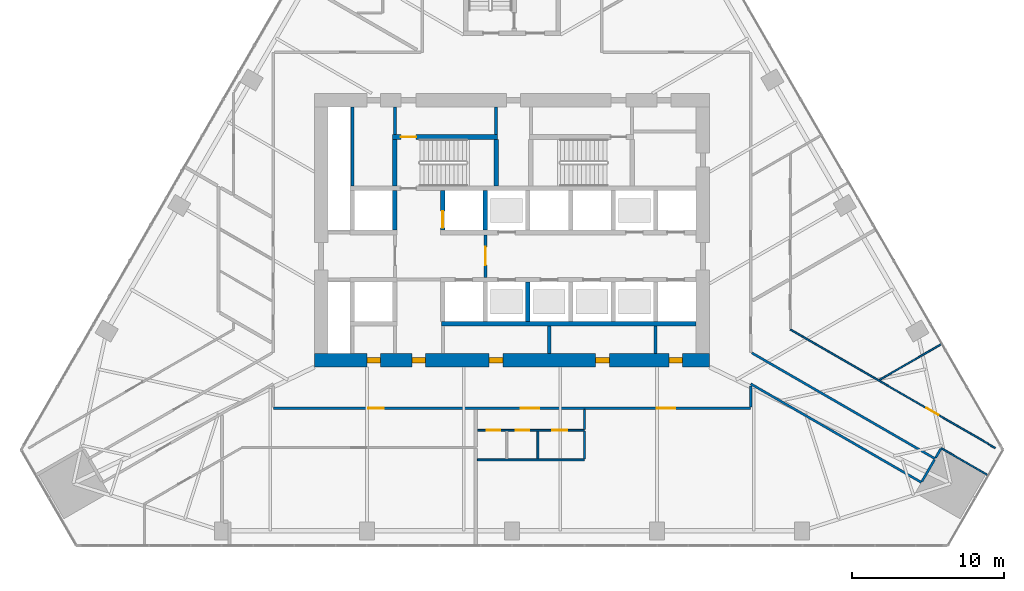
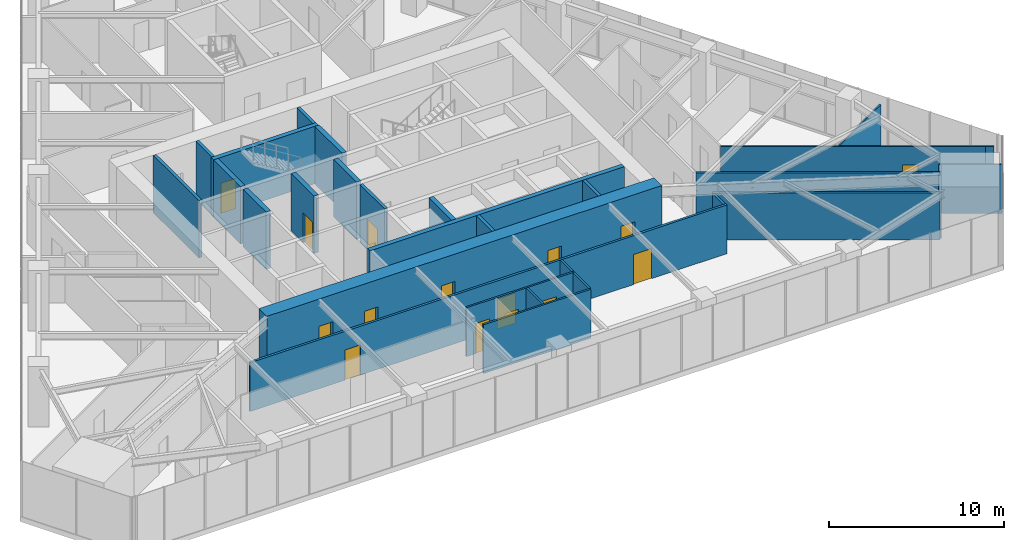
# One storey, part 21 of 26: 30 walls, 15 doors, 15 openings.
"""IFC4 building model written with IfcOpenShell, lengths in metres."""

import ifcopenshell
import ifcopenshell.guid

model = None  # the IFC model being written
_history = None  # IfcOwnerHistory: only IFC2X3 demands one
_inside = {}  # id of a spatial element -> (the spatial element, [elements in it])
_under = {}  # id of a project, library or spatial element -> (it, [spatial elements below it])
_declared = {}  # id of a project -> (the project, [libraries it declares])
_typed = {}  # id of a type object -> (the type object, [elements of that type])
_made_of = {}  # id of a material, layer set ... -> (it, [elements and type objects made of it])


def new_model(schema):
    """Start an empty IFC model of exactly this schema.

    Asked for "IFC4X3", IfcOpenShell would pick the latest addendum, in which some entities
    have other attributes; the version numbers below select the first issue.
    IFC2X3 requires an IfcOwnerHistory on every rooted entity: one is made here for all.
    """
    global model, _history
    if schema == "IFC4X3":
        model = ifcopenshell.file(schema_version=(4, 3, 0, 0))
    else:
        model = ifcopenshell.file(schema=schema)
    _inside.clear()
    _under.clear()
    _declared.clear()
    _typed.clear()
    _made_of.clear()
    _history = None
    if model.schema == "IFC2X3":
        org = make("IfcOrganization", Name="unknown")
        user = make(
            "IfcPersonAndOrganization",
            ThePerson=make("IfcPerson", FamilyName="unknown"),
            TheOrganization=org,
        )
        app = make(
            "IfcApplication",
            ApplicationDeveloper=org,
            Version="unknown",
            ApplicationFullName="unknown",
            ApplicationIdentifier="unknown",
        )
        _history = make(
            "IfcOwnerHistory",
            OwningUser=user,
            OwningApplication=app,
            ChangeAction="ADDED",
            CreationDate=0,
        )
    return model


def make(cls, **values):
    """One entity of the class cls with the attributes given. An attribute that is None is left unset."""
    return model.create_entity(
        cls, **{name: value for name, value in values.items() if value is not None}
    )


def rooted(cls, **values):
    """An entity with a GlobalId (a new one), such as an element, a storey or a relation."""
    return make(cls, GlobalId=ifcopenshell.guid.new(), OwnerHistory=_history, **values)


def si_unit(unit_type, name, prefix=None):
    """IfcSIUnit, for example si_unit("LENGTHUNIT", "METRE", prefix="MILLI")."""
    return make("IfcSIUnit", UnitType=unit_type, Prefix=prefix, Name=name)


def assignment(units):
    """IfcUnitAssignment: the units of a project."""
    return None if units is None else make("IfcUnitAssignment", Units=units)


def point(xyz):
    """IfcCartesianPoint."""
    return None if xyz is None else make("IfcCartesianPoint", Coordinates=xyz)


def direction(xyz):
    """IfcDirection."""
    return None if xyz is None else make("IfcDirection", DirectionRatios=xyz)


def frame(location, z_axis=None, x_axis=None):
    """IfcAxis2Placement3D, a coordinate frame: its origin and axes. An axis left out is left unset."""
    return make(
        "IfcAxis2Placement3D",
        Location=point(location),
        Axis=direction(z_axis),
        RefDirection=direction(x_axis),
    )


def frame_2d(location, x_axis=None):
    """IfcAxis2Placement2D, a coordinate frame in the plane: its origin and x axis."""
    return make(
        "IfcAxis2Placement2D", Location=point(location), RefDirection=direction(x_axis)
    )


def origin():
    """The frame at (0, 0, 0) with its axes left unset."""
    return frame((0.0, 0.0, 0.0))


def place(relative_to, where):
    """IfcLocalPlacement: puts the frame where relative to a parent placement (None: the world)."""
    return make(
        "IfcLocalPlacement", PlacementRelTo=relative_to, RelativePlacement=where
    )


def context(
    kind, dimensions, precision=None, world=None, true_north=None, identifier=None
):
    """IfcGeometricRepresentationContext, for example the 3D "Model" context."""
    return make(
        "IfcGeometricRepresentationContext",
        ContextIdentifier=identifier,
        ContextType=kind,
        CoordinateSpaceDimension=dimensions,
        Precision=precision,
        WorldCoordinateSystem=world,
        TrueNorth=true_north,
    )


def subcontext(parent, identifier, kind, view, scale=None):
    """IfcGeometricRepresentationSubContext, for example "Body" below "Model"."""
    return make(
        "IfcGeometricRepresentationSubContext",
        ContextIdentifier=identifier,
        ContextType=kind,
        ParentContext=parent,
        TargetScale=scale,
        TargetView=view,
    )


def project(units=None, contexts=None):
    """IfcProject with its units and contexts."""
    return rooted(
        "IfcProject",
        Name="project",
        RepresentationContexts=contexts,
        UnitsInContext=assignment(units),
    )


def spatial(cls, under=None, at=None, **own):
    """A site, building, storey or space (cls), placed at a placement, below another one or the project."""
    s = rooted(cls, ObjectPlacement=at, **own)
    if under is not None:
        _under.setdefault(under.id(), (under, []))[1].append(s)
    return s


def profile(cls, at=None, kind="AREA", **sizes):
    """A parametric profile (cls). Its sizes go by their IFC names, for example OverallWidth=200.0."""
    return make(cls, ProfileType=kind, Position=at, **sizes)


def rectangle(**sizes):
    """IfcRectangleProfileDef."""
    return profile("IfcRectangleProfileDef", **sizes)


def extrude(swept, where, along, depth):
    """IfcExtrudedAreaSolid: the profile swept, set in the frame where, extruded along a direction by depth."""
    return make(
        "IfcExtrudedAreaSolid",
        SweptArea=swept,
        Position=where,
        ExtrudedDirection=direction(along),
        Depth=depth,
    )


def shape(context_of_items, identifier, shape_type, items):
    """IfcShapeRepresentation: the items that make up one representation, for example the "Body"."""
    return make(
        "IfcShapeRepresentation",
        ContextOfItems=context_of_items,
        RepresentationIdentifier=identifier,
        RepresentationType=shape_type,
        Items=items,
    )


def material(Name=None, Category=None):
    """IfcMaterial."""
    return make("IfcMaterial", Name=Name, Category=Category)


def layer(
    of_material, thickness, ventilated=None, Name=None, Category=None, Priority=None
):
    """IfcMaterialLayer: one layer of a wall or slab, of a material (None: an air gap)."""
    return make(
        "IfcMaterialLayer",
        Material=of_material,
        LayerThickness=thickness,
        IsVentilated=ventilated,
        Name=Name,
        Category=Category,
        Priority=Priority,
    )


def layer_set(layers, Name=None):
    """IfcMaterialLayerSet."""
    return make("IfcMaterialLayerSet", MaterialLayers=layers, LayerSetName=Name)


def made_of(thing, what):
    """Note that an element or type object is made of a material, layer set ...; save() writes the relation."""
    if what is not None:
        _made_of.setdefault(what.id(), (what, []))[1].append(thing)
    return thing


def type_object(cls, material=None, **own):
    """A type object (cls), such as IfcWallType, which elements share."""
    return made_of(rooted(cls, **own), material)


def element(
    cls,
    number,
    at=None,
    inside=None,
    cuts=None,
    type_object=None,
    material=None,
    context=None,
    identifier="Body",
    shape_type=None,
    held_by="IfcProductDefinitionShape",
    body=None,
    shapes=None,
    **own,
):
    """One element of the class cls, such as IfcWall. Its Tag is "e" and its number.

    at: its placement. inside: the storey or other place that contains it. cuts: it is an
    opening in that element (IfcRelVoidsElement). A single representation is given by context,
    identifier, shape_type and body (its items); several are given by shapes. held_by: the class
    of the entity that holds the representations. save() writes the other relations.
    """
    e = rooted(cls, Tag="e%d" % number, ObjectPlacement=at, **own)
    if body is not None:
        shapes = [shape(context, identifier, shape_type, body)]
    if shapes is not None:
        e.Representation = make(held_by, Representations=shapes)
    if inside is not None:
        _inside.setdefault(inside.id(), (inside, []))[1].append(e)
    if cuts is not None:
        rooted(
            "IfcRelVoidsElement", RelatingBuildingElement=cuts, RelatedOpeningElement=e
        )
    if type_object is not None:
        _typed.setdefault(type_object.id(), (type_object, []))[1].append(e)
    return made_of(e, material)


def fill(opening, filler):
    """IfcRelFillsElement: the door or window that sits in an opening."""
    return rooted(
        "IfcRelFillsElement",
        RelatingOpeningElement=opening,
        RelatedBuildingElement=filler,
    )


def aggregate(whole, parts):
    """IfcRelAggregates: a whole, such as a stair, and the parts it consists of."""
    return rooted("IfcRelAggregates", RelatingObject=whole, RelatedObjects=parts)


def save(model, path):
    """Write the relations noted so far, then the file.

    IfcRelAggregates (storeys below a building ...), IfcRelContainedInSpatialStructure (elements
    in a storey), IfcRelDefinesByType, IfcRelAssociatesMaterial and IfcRelDeclares: one each for
    every whole, place, type object, material and project.
    """
    for whole, parts in _under.values():
        aggregate(whole, parts)
    for where, things in _inside.values():
        rooted(
            "IfcRelContainedInSpatialStructure",
            RelatedElements=things,
            RelatingStructure=where,
        )
    for kind, things in _typed.values():
        rooted("IfcRelDefinesByType", RelatedObjects=things, RelatingType=kind)
    for what, things in _made_of.values():
        rooted("IfcRelAssociatesMaterial", RelatedObjects=things, RelatingMaterial=what)
    for by, libraries in _declared.values():
        rooted("IfcRelDeclares", RelatingContext=by, RelatedDefinitions=libraries)
    model.write(path)


model = new_model("IFC4")

# Units and contexts
model_context = context("Model", 3, precision=1e-05, world=origin(), true_north=direction((0.0, 1.0)))
body_context = subcontext(model_context, "Body", "Model", "MODEL_VIEW")
ifc_project = project(units=[si_unit("LENGTHUNIT", "METRE"), si_unit("AREAUNIT", "SQUARE_METRE"), si_unit("VOLUMEUNIT", "CUBIC_METRE"), si_unit("PLANEANGLEUNIT", "RADIAN"), si_unit("MASSUNIT", "GRAM", prefix="KILO")], contexts=[model_context])

# Site, building, storey
site_placement = place(None, origin())
site = spatial("IfcSite", under=ifc_project, at=site_placement, CompositionType="ELEMENT")
building_placement = place(site_placement, origin())
building = spatial("IfcBuilding", under=site, at=building_placement, Name="Firuza Gate Tower and Library", CompositionType="ELEMENT")
storey_placement = place(building_placement, frame((0.0, 0.0, 65.199951171875)))
storey = spatial("IfcBuildingStorey", under=building, at=storey_placement, Name="L14", CompositionType="ELEMENT", Elevation=65.199951171875)

# Walls
ifc_material_1 = material(Name="Plasterboard on steel studs", Category="steel")
ifc_layer_1 = layer(ifc_material_1, 0.199951171875)
ifc_layer_set_1 = layer_set([ifc_layer_1], Name="Core partition 200 EI 120")
wall_type_1 = type_object("IfcWallType", Name="Core partition 200 EI 120", PredefinedType="PARTITIONING", material=ifc_layer_set_1)
wall_1_placement = place(storey_placement, frame((64.5, 77.89990234375, 0.0), z_axis=(0.0, 0.0, 1.0), x_axis=(0.0, 1.0, 0.0)))
element("IfcWall", 1, at=wall_1_placement, inside=storey, type_object=wall_type_1, Name="Core partition L14 6", PredefinedType="PARTITIONING", context=body_context, shape_type="SweptSolid", body=[
    extrude(rectangle(XDim=5.2001953125, YDim=0.199951171875, at=frame_2d((2.60009765625, 0.0))), origin(), (0.0, 0.0, 1.0), 4.0),
])
for number, where, z_axis, x_axis, name in (
    (2, (77.449951171875, 66.89990234375, 0.0), (0.0, 0.0, 1.0), (0.0, 1.0, 0.0), "Core partition L14 14"),
    (3, (84.449951171875, 66.89990234375, 0.0), (0.0, 0.0, 1.0), (0.0, 1.0, 0.0), "Core partition L14 16"),
):
    element("IfcWall", number, at=place(storey_placement, frame(where, z_axis=z_axis, x_axis=x_axis)), inside=storey, type_object=wall_type_1, Name=name, PredefinedType="PARTITIONING", context=body_context, shape_type="SweptSolid", body=[
        extrude(rectangle(XDim=1.800048828125, YDim=0.199951171875, at=frame_2d((0.89990234375, 0.0))), origin(), (0.0, 0.0, 1.0), 4.0),
    ])
ifc_material_2 = material(Name="Plasterboard on steel studs", Category="steel")
ifc_layer_2 = layer(ifc_material_2, 0.199951171875)
ifc_layer_set_2 = layer_set([ifc_layer_2], Name="Core partition 200 EI 60")
wall_type_2 = type_object("IfcWallType", Name="Core partition 200 EI 60", PredefinedType="PARTITIONING", material=ifc_layer_set_2)
wall_2_placement = place(storey_placement, frame((67.300048828125, 81.280029296875, 0.0), z_axis=(0.0, 0.0, 1.0), x_axis=(0.0, 1.0, 0.0)))
element("IfcWall", 4, at=wall_2_placement, inside=storey, type_object=wall_type_2, Name="Core partition L14 9", PredefinedType="PARTITIONING", context=body_context, shape_type="SweptSolid", body=[
    extrude(rectangle(XDim=1.820068359375, YDim=0.199951171875, at=frame_2d((0.91015625, 0.0))), origin(), (0.0, 0.0, 1.0), 4.0),
])

# Wall, opening, door
wall_3_placement = place(storey_placement, frame((73.25, 71.89990234375, 0.0), z_axis=(0.0, 0.0, 1.0), x_axis=(0.0, 1.0, 0.0)))
wall_3 = element("IfcWall", 5, at=wall_3_placement, inside=storey, type_object=wall_type_2, Name="Core partition L14 11", PredefinedType="PARTITIONING", context=body_context, shape_type="SweptSolid", body=[
    extrude(rectangle(XDim=2.800048828125, YDim=0.199951171875, at=frame_2d((1.39990234375, 0.0))), origin(), (0.0, 0.0, 1.0), 4.0),
])
opening_1_placement = place(wall_3_placement, frame((0.800048828125, 0.0, 0.0)))
opening_1 = element("IfcOpeningElement", 6, at=opening_1_placement, cuts=wall_3, Name="Opening L14-K20", PredefinedType="OPENING", context=body_context, shape_type="SweptSolid", body=[
    extrude(rectangle(XDim=1.199951171875, YDim=2.10009765625, at=frame_2d((0.60009765625, 1.050048828125))), frame((0.0, 0.10986328125, 0.0), z_axis=(0.0, -1.0, 0.0), x_axis=(1.0, 0.0, 0.0)), (0.0, 0.0, 1.0), 0.219970703125),
])
ifc_material_3 = material(Name="Steel", Category="steel")
door_type_1 = type_object("IfcDoorType", Name="Fire door 1200x2100 FD90S", OperationType="NOTDEFINED", PredefinedType="DOOR", material=ifc_material_3)
door_1_placement = place(opening_1_placement, origin())
door_1 = element("IfcDoor", 7, at=door_1_placement, inside=storey, type_object=door_type_1, Name="Door L14-K20", OperationType="SINGLE_SWING_LEFT", OverallHeight=2.10009765625, OverallWidth=1.199951171875, PredefinedType="DOOR", context=body_context, shape_type="SweptSolid", body=[
    extrude(rectangle(XDim=1.199951171875, YDim=2.10009765625, at=frame_2d((0.60009765625, 1.050048828125))), frame((0.0, 0.02490234375, 0.0), z_axis=(0.0, -1.0, 0.0), x_axis=(1.0, 0.0, 0.0)), (0.0, 0.0, 1.0), 0.050048828125),
])
fill(opening_1, door_1)

# Walls
wall_4_placement = place(storey_placement, frame((73.9599609375, 81.280029296875, 0.0), z_axis=(0.0, 0.0, 1.0), x_axis=(0.0, 1.0, 0.0)))
element("IfcWall", 8, at=wall_4_placement, inside=storey, type_object=wall_type_2, Name="Core partition L14 12", PredefinedType="PARTITIONING", context=body_context, shape_type="SweptSolid", body=[
    extrude(rectangle(XDim=1.820068359375, YDim=0.199951171875, at=frame_2d((0.91015625, 0.0))), origin(), (0.0, 0.0, 1.0), 4.0),
])
ifc_material_4 = material(Name="Concrete C80/95", Category="concrete")
ifc_layer_3 = layer(ifc_material_4, 0.300048828125)
ifc_layer_set_3 = layer_set([ifc_layer_3], Name="Core wall 300 C80/95")
wall_type_3 = type_object("IfcWallType", Name="Core wall 300 C80/95", PredefinedType="SHEAR", material=ifc_layer_set_3)
wall_5_placement = place(storey_placement, frame((70.35009765625, 68.85009765625, 0.0), z_axis=(0.0, 0.0, 1.0), x_axis=(1.0, 0.0, 0.0)))
element("IfcWall", 9, at=wall_5_placement, inside=storey, type_object=wall_type_3, Name="Core wall L14 6", PredefinedType="SHEAR", context=body_context, shape_type="SweptSolid", body=[
    extrude(rectangle(XDim=16.75, YDim=0.300048828125, at=frame_2d((8.375, 0.0))), origin(), (0.0, 0.0, 1.0), 4.0),
])
wall_6_placement = place(storey_placement, frame((67.300048828125, 75.0, 0.0), z_axis=(0.0, 0.0, 1.0), x_axis=(0.0, 1.0, 0.0)))
element("IfcWall", 10, at=wall_6_placement, inside=storey, type_object=wall_type_3, Name="Core wall L14 14", PredefinedType="SHEAR", context=body_context, shape_type="SweptSolid", body=[
    extrude(rectangle(XDim=2.60009765625, YDim=0.300048828125, at=frame_2d((1.300048828125, 0.0))), origin(), (0.0, 0.0, 1.0), 4.0),
])

# Wall, opening, door
wall_7_placement = place(storey_placement, frame((70.449951171875, 75.0, 0.0), z_axis=(0.0, 0.0, 1.0), x_axis=(0.0, 1.0, 0.0)))
wall_7 = element("IfcWall", 11, at=wall_7_placement, inside=storey, type_object=wall_type_3, Name="Core wall L14 16", PredefinedType="SHEAR", context=body_context, shape_type="SweptSolid", body=[
    extrude(rectangle(XDim=2.60009765625, YDim=0.300048828125, at=frame_2d((1.300048828125, 0.0))), origin(), (0.0, 0.0, 1.0), 4.0),
])
opening_2_placement = place(wall_7_placement, frame((0.14990234375, 0.0, 0.0)))
opening_2 = element("IfcOpeningElement", 12, at=opening_2_placement, cuts=wall_7, Name="Opening LD-FF2-L14", PredefinedType="OPENING", context=body_context, shape_type="SweptSolid", body=[
    extrude(rectangle(XDim=1.10009765625, YDim=2.10009765625, at=frame_2d((0.550048828125, 1.050048828125))), frame((0.0, 0.16015625, 0.0), z_axis=(0.0, -1.0, 0.0), x_axis=(1.0, 0.0, 0.0)), (0.0, 0.0, 1.0), 0.320068359375),
])
ifc_material_5 = material(Name="Stainless steel", Category="steel")
door_type_2 = type_object("IfcDoorType", Name="Lift landing door 1100x2100", OperationType="DOUBLE_DOOR_SLIDING", PredefinedType="DOOR", material=ifc_material_5)
door_2_placement = place(opening_2_placement, origin())
door_2 = element("IfcDoor", 13, at=door_2_placement, inside=storey, type_object=door_type_2, Name="Landing door FF2 L14", OperationType="DOUBLE_DOOR_SLIDING", OverallHeight=2.10009765625, OverallWidth=1.10009765625, PredefinedType="DOOR", context=body_context, shape_type="SweptSolid", body=[
    extrude(rectangle(XDim=1.10009765625, YDim=2.10009765625, at=frame_2d((0.550048828125, 1.050048828125))), frame((0.0, 0.02490234375, 0.0), z_axis=(0.0, -1.0, 0.0), x_axis=(1.0, 0.0, 0.0)), (0.0, 0.0, 1.0), 0.050048828125),
])
fill(opening_2, door_2)

# Walls
for number, where, z_axis, x_axis, name in (
    (14, (73.25, 75.0, 0.0), (0.0, 0.0, 1.0), (0.0, 1.0, 0.0), "Core wall L14 18"),
    (15, (76.050048828125, 69.0, 0.0), (0.0, 0.0, 1.0), (0.0, 1.0, 0.0), "Core wall L14 19"),
):
    element("IfcWall", number, at=place(storey_placement, frame(where, z_axis=z_axis, x_axis=x_axis)), inside=storey, type_object=wall_type_3, Name=name, PredefinedType="SHEAR", context=body_context, shape_type="SweptSolid", body=[
        extrude(rectangle(XDim=2.60009765625, YDim=0.300048828125, at=frame_2d((1.300048828125, 0.0))), origin(), (0.0, 0.0, 1.0), 4.0),
    ])

# Wall, opening, door
wall_8_placement = place(storey_placement, frame((67.14990234375, 81.1298828125, 0.0), z_axis=(0.0, 0.0, 1.0), x_axis=(1.0, 0.0, 0.0)))
wall_8 = element("IfcWall", 16, at=wall_8_placement, inside=storey, type_object=wall_type_3, Name="Core wall L14 28", PredefinedType="SHEAR", context=body_context, shape_type="SweptSolid", body=[
    extrude(rectangle(XDim=6.91015625, YDim=0.300048828125, at=frame_2d((3.455078125, 0.0))), origin(), (0.0, 0.0, 1.0), 4.0),
])
opening_3_placement = place(wall_8_placement, frame((0.544921875, 0.0, 0.0)))
opening_3 = element("IfcOpeningElement", 17, at=opening_3_placement, cuts=wall_8, Name="Opening L14-K13", PredefinedType="OPENING", context=body_context, shape_type="SweptSolid", body=[
    extrude(rectangle(XDim=1.0, YDim=2.10009765625, at=frame_2d((0.5, 1.050048828125))), frame((0.0, 0.16015625, 0.0), z_axis=(0.0, -1.0, 0.0), x_axis=(1.0, 0.0, 0.0)), (0.0, 0.0, 1.0), 0.320068359375),
])
ifc_material_6 = material(Name="Steel", Category="steel")
door_type_3 = type_object("IfcDoorType", Name="Fire door 1000x2100 FD90", OperationType="NOTDEFINED", PredefinedType="DOOR", material=ifc_material_6)
door_3_placement = place(opening_3_placement, origin())
door_3 = element("IfcDoor", 18, at=door_3_placement, inside=storey, type_object=door_type_3, Name="Door L14-K13", OperationType="SINGLE_SWING_RIGHT", OverallHeight=2.10009765625, OverallWidth=1.0, PredefinedType="DOOR", context=body_context, shape_type="SweptSolid", body=[
    extrude(rectangle(XDim=1.0, YDim=2.10009765625, at=frame_2d((0.5, 1.050048828125))), frame((0.0, 0.02490234375, 0.0), z_axis=(0.0, -1.0, 0.0), x_axis=(1.0, 0.0, 0.0)), (0.0, 0.0, 1.0), 0.050048828125),
])
fill(opening_3, door_3)

# Walls
for number, where, z_axis, x_axis, name in (
    (19, (67.300048828125, 77.89990234375, 0.0), (0.0, 0.0, 1.0), (0.0, 1.0, 0.0), "Core wall L14 30"),
    (20, (73.9599609375, 77.89990234375, 0.0), (0.0, 0.0, 1.0), (0.0, 1.0, 0.0), "Core wall L14 31"),
):
    element("IfcWall", number, at=place(storey_placement, frame(where, z_axis=z_axis, x_axis=x_axis)), inside=storey, type_object=wall_type_3, Name=name, PredefinedType="SHEAR", context=body_context, shape_type="SweptSolid", body=[
        extrude(rectangle(XDim=3.080078125, YDim=0.300048828125, at=frame_2d((1.5400390625, 0.0))), origin(), (0.0, 0.0, 1.0), 4.0),
    ])

# Wall, openings, doors
ifc_material_7 = material(Name="Concrete C80/95", Category="concrete")
ifc_layer_4 = layer(ifc_material_7, 0.89990234375)
ifc_layer_set_4 = layer_set([ifc_layer_4], Name="Core wall 900 C80/95")
wall_type_4 = type_object("IfcWallType", Name="Core wall 900 C80/95", PredefinedType="SHEAR", material=ifc_layer_set_4)
wall_9_placement = place(storey_placement, frame((62.0, 66.449951171875, 0.0), z_axis=(0.0, 0.0, 1.0), x_axis=(1.0, 0.0, 0.0)))
wall_9 = element("IfcWall", 21, at=wall_9_placement, inside=storey, type_object=wall_type_4, Name="Core wall L14 1", PredefinedType="SHEAR", context=body_context, shape_type="SweptSolid", body=[
    extrude(rectangle(XDim=26.0, YDim=0.89990234375, at=frame_2d((13.0, 0.0))), origin(), (0.0, 0.0, 1.0), 4.0),
])
opening_4_placement = place(wall_9_placement, frame((3.449951171875, 0.0, 0.0)))
opening_4 = element("IfcOpeningElement", 22, at=opening_4_placement, cuts=wall_9, Name="Opening L14-K24", PredefinedType="OPENING", context=body_context, shape_type="SweptSolid", body=[
    extrude(rectangle(XDim=0.89990234375, YDim=2.10009765625, at=frame_2d((0.449951171875, 1.050048828125))), frame((0.0, 0.4599609375, 0.0), z_axis=(0.0, -1.0, 0.0), x_axis=(1.0, 0.0, 0.0)), (0.0, 0.0, 1.0), 0.919921875),
])
opening_5_placement = place(wall_9_placement, frame((6.425048828125, 0.0, 0.0)))
opening_5 = element("IfcOpeningElement", 23, at=opening_5_placement, cuts=wall_9, Name="Opening L14-K25", PredefinedType="OPENING", context=body_context, shape_type="SweptSolid", body=[
    extrude(rectangle(XDim=0.89990234375, YDim=2.10009765625, at=frame_2d((0.449951171875, 1.050048828125))), frame((0.0, 0.4599609375, 0.0), z_axis=(0.0, -1.0, 0.0), x_axis=(1.0, 0.0, 0.0)), (0.0, 0.0, 1.0), 0.919921875),
])
opening_6_placement = place(wall_9_placement, frame((11.5, 0.0, 0.0)))
opening_6 = element("IfcOpeningElement", 24, at=opening_6_placement, cuts=wall_9, Name="Opening L14-K26", PredefinedType="OPENING", context=body_context, shape_type="SweptSolid", body=[
    extrude(rectangle(XDim=0.89990234375, YDim=2.10009765625, at=frame_2d((0.449951171875, 1.050048828125))), frame((0.0, 0.4599609375, 0.0), z_axis=(0.0, -1.0, 0.0), x_axis=(1.0, 0.0, 0.0)), (0.0, 0.0, 1.0), 0.919921875),
])
opening_7_placement = place(wall_9_placement, frame((18.5, 0.0, 0.0)))
opening_7 = element("IfcOpeningElement", 25, at=opening_7_placement, cuts=wall_9, Name="Opening L14-K27", PredefinedType="OPENING", context=body_context, shape_type="SweptSolid", body=[
    extrude(rectangle(XDim=0.89990234375, YDim=2.10009765625, at=frame_2d((0.449951171875, 1.050048828125))), frame((0.0, 0.4599609375, 0.0), z_axis=(0.0, -1.0, 0.0), x_axis=(1.0, 0.0, 0.0)), (0.0, 0.0, 1.0), 0.919921875),
])
opening_8_placement = place(wall_9_placement, frame((23.324951171875, 0.0, 0.0)))
opening_8 = element("IfcOpeningElement", 26, at=opening_8_placement, cuts=wall_9, Name="Opening L14-K28", PredefinedType="OPENING", context=body_context, shape_type="SweptSolid", body=[
    extrude(rectangle(XDim=0.89990234375, YDim=2.10009765625, at=frame_2d((0.449951171875, 1.050048828125))), frame((0.0, 0.4599609375, 0.0), z_axis=(0.0, -1.0, 0.0), x_axis=(1.0, 0.0, 0.0)), (0.0, 0.0, 1.0), 0.919921875),
])
ifc_material_8 = material(Name="Steel", Category="steel")
door_type_4 = type_object("IfcDoorType", Name="Fire door 900x2100 FD30S", OperationType="NOTDEFINED", PredefinedType="DOOR", material=ifc_material_8)
door_4_placement = place(opening_4_placement, origin())
door_4 = element("IfcDoor", 27, at=door_4_placement, inside=storey, type_object=door_type_4, Name="Door L14-K24", OperationType="SINGLE_SWING_LEFT", OverallHeight=2.10009765625, OverallWidth=0.89990234375, PredefinedType="DOOR", context=body_context, shape_type="SweptSolid", body=[
    extrude(rectangle(XDim=0.89990234375, YDim=2.10009765625, at=frame_2d((0.449951171875, 1.050048828125))), frame((0.0, 0.169921875, 0.0), z_axis=(0.0, -1.0, 0.0), x_axis=(1.0, 0.0, 0.0)), (0.0, 0.0, 1.0), 0.33984375),
])
fill(opening_4, door_4)
door_5_placement = place(opening_5_placement, origin())
door_5 = element("IfcDoor", 28, at=door_5_placement, inside=storey, type_object=door_type_4, Name="Door L14-K25", OperationType="SINGLE_SWING_RIGHT", OverallHeight=2.10009765625, OverallWidth=0.89990234375, PredefinedType="DOOR", context=body_context, shape_type="SweptSolid", body=[
    extrude(rectangle(XDim=0.89990234375, YDim=2.10009765625, at=frame_2d((0.449951171875, 1.050048828125))), frame((0.0, 0.169921875, 0.0), z_axis=(0.0, -1.0, 0.0), x_axis=(1.0, 0.0, 0.0)), (0.0, 0.0, 1.0), 0.33984375),
])
fill(opening_5, door_5)
door_6_placement = place(opening_6_placement, origin())
door_6 = element("IfcDoor", 29, at=door_6_placement, inside=storey, type_object=door_type_4, Name="Door L14-K26", OperationType="SINGLE_SWING_LEFT", OverallHeight=2.10009765625, OverallWidth=0.89990234375, PredefinedType="DOOR", context=body_context, shape_type="SweptSolid", body=[
    extrude(rectangle(XDim=0.89990234375, YDim=2.10009765625, at=frame_2d((0.449951171875, 1.050048828125))), frame((0.0, 0.169921875, 0.0), z_axis=(0.0, -1.0, 0.0), x_axis=(1.0, 0.0, 0.0)), (0.0, 0.0, 1.0), 0.33984375),
])
fill(opening_6, door_6)
door_7_placement = place(opening_7_placement, origin())
door_7 = element("IfcDoor", 30, at=door_7_placement, inside=storey, type_object=door_type_4, Name="Door L14-K27", OperationType="SINGLE_SWING_RIGHT", OverallHeight=2.10009765625, OverallWidth=0.89990234375, PredefinedType="DOOR", context=body_context, shape_type="SweptSolid", body=[
    extrude(rectangle(XDim=0.89990234375, YDim=2.10009765625, at=frame_2d((0.449951171875, 1.050048828125))), frame((0.0, 0.169921875, 0.0), z_axis=(0.0, -1.0, 0.0), x_axis=(1.0, 0.0, 0.0)), (0.0, 0.0, 1.0), 0.33984375),
])
fill(opening_7, door_7)
door_8_placement = place(opening_8_placement, origin())
door_8 = element("IfcDoor", 31, at=door_8_placement, inside=storey, type_object=door_type_4, Name="Door L14-K28", OperationType="SINGLE_SWING_LEFT", OverallHeight=2.10009765625, OverallWidth=0.89990234375, PredefinedType="DOOR", context=body_context, shape_type="SweptSolid", body=[
    extrude(rectangle(XDim=0.89990234375, YDim=2.10009765625, at=frame_2d((0.449951171875, 1.050048828125))), frame((0.0, 0.169921875, 0.0), z_axis=(0.0, -1.0, 0.0), x_axis=(1.0, 0.0, 0.0)), (0.0, 0.0, 1.0), 0.33984375),
])
fill(opening_8, door_8)

ifc_material_9 = material(Name="Gypsum board partition")
ifc_layer_5 = layer(ifc_material_9, 0.14990234375)
ifc_layer_set_5 = layer_set([ifc_layer_5], Name="Corridor wall 150 double board on steel studs")
wall_type_5 = type_object("IfcWallType", Name="Corridor wall 150 double board on steel studs", PredefinedType="PARTITIONING", material=ifc_layer_set_5)
wall_10_placement = place(storey_placement, frame((90.699462890625, 63.300048828125, 0.0), z_axis=(0.0, 0.0, 1.0), x_axis=(-1.0, 0.0, 0.0)))
wall_10 = element("IfcWall", 32, at=wall_10_placement, inside=storey, type_object=wall_type_5, Name="f:L14:w004", PredefinedType="PARTITIONING", context=body_context, shape_type="SweptSolid", body=[
    extrude(rectangle(XDim=31.3994140625, YDim=0.14990234375, at=frame_2d((15.69970703125, 0.0))), origin(), (0.0, 0.0, 1.0), 3.400146484375),
])
opening_9_placement = place(wall_10_placement, frame((4.967529296875, 0.0, 0.0)))
opening_9 = element("IfcOpeningElement", 33, at=opening_9_placement, cuts=wall_10, Name="Opening L14-05", PredefinedType="OPENING", context=body_context, shape_type="SweptSolid", body=[
    extrude(rectangle(XDim=1.199951171875, YDim=2.10009765625, at=frame_2d((0.60009765625, 1.050048828125))), frame((0.0, 0.0849609375, 0.0), z_axis=(0.0, -1.0, 0.0), x_axis=(1.0, 0.0, 0.0)), (0.0, 0.0, 1.0), 0.169921875),
])
opening_10_placement = place(wall_10_placement, frame((13.90771484375, 0.0, 0.0)))
opening_10 = element("IfcOpeningElement", 34, at=opening_10_placement, cuts=wall_10, Name="Opening L14-06", PredefinedType="OPENING", context=body_context, shape_type="SweptSolid", body=[
    extrude(rectangle(XDim=1.199951171875, YDim=2.10009765625, at=frame_2d((0.60009765625, 1.050048828125))), frame((0.0, 0.0849609375, 0.0), z_axis=(0.0, -1.0, 0.0), x_axis=(1.0, 0.0, 0.0)), (0.0, 0.0, 1.0), 0.169921875),
])
opening_11_placement = place(wall_10_placement, frame((24.139892578125, 0.0, 0.0)))
opening_11 = element("IfcOpeningElement", 35, at=opening_11_placement, cuts=wall_10, Name="Opening L14-07", PredefinedType="OPENING", context=body_context, shape_type="SweptSolid", body=[
    extrude(rectangle(XDim=1.0, YDim=2.10009765625, at=frame_2d((0.5, 1.050048828125))), frame((0.0, 0.0849609375, 0.0), z_axis=(0.0, -1.0, 0.0), x_axis=(1.0, 0.0, 0.0)), (0.0, 0.0, 1.0), 0.169921875),
])
ifc_material_10 = material(Name="Steel door and timber leaf", Category="steel")
door_type_5 = type_object("IfcDoorType", Name="Fire door 1000 x 2100 steel frame, timber leaf", OperationType="NOTDEFINED", PredefinedType="DOOR", material=ifc_material_10)
door_9_placement = place(opening_11_placement, origin())
door_9 = element("IfcDoor", 36, at=door_9_placement, inside=storey, type_object=door_type_5, Name="f:L14:d007", OperationType="SINGLE_SWING_LEFT", OverallHeight=2.10009765625, OverallWidth=1.0, PredefinedType="DOOR", context=body_context, shape_type="SweptSolid", body=[
    extrude(rectangle(XDim=1.0, YDim=2.10009765625, at=frame_2d((0.5, 1.050048828125))), frame((0.0, 0.02490234375, 0.0), z_axis=(0.0, -1.0, 0.0), x_axis=(1.0, 0.0, 0.0)), (0.0, 0.0, 1.0), 0.050048828125),
])
fill(opening_11, door_9)
ifc_material_11 = material(Name="Steel door and timber leaf", Category="steel")
door_type_6 = type_object("IfcDoorType", Name="Fire door 1200 x 2100 steel frame, double leaf", OperationType="NOTDEFINED", PredefinedType="DOOR", material=ifc_material_11)
door_10_placement = place(opening_9_placement, origin())
door_10 = element("IfcDoor", 37, at=door_10_placement, inside=storey, type_object=door_type_6, Name="f:L14:d005", OperationType="DOUBLE_DOOR_SINGLE_SWING", OverallHeight=2.10009765625, OverallWidth=1.199951171875, PredefinedType="DOOR", context=body_context, shape_type="SweptSolid", body=[
    extrude(rectangle(XDim=1.199951171875, YDim=2.10009765625, at=frame_2d((0.60009765625, 1.050048828125))), frame((0.0, 0.02490234375, 0.0), z_axis=(0.0, -1.0, 0.0), x_axis=(1.0, 0.0, 0.0)), (0.0, 0.0, 1.0), 0.050048828125),
])
fill(opening_9, door_10)
door_11_placement = place(opening_10_placement, origin())
door_11 = element("IfcDoor", 38, at=door_11_placement, inside=storey, type_object=door_type_6, Name="f:L14:d006", OperationType="DOUBLE_DOOR_SINGLE_SWING", OverallHeight=2.10009765625, OverallWidth=1.199951171875, PredefinedType="DOOR", context=body_context, shape_type="SweptSolid", body=[
    extrude(rectangle(XDim=1.199951171875, YDim=2.10009765625, at=frame_2d((0.60009765625, 1.050048828125))), frame((0.0, 0.02490234375, 0.0), z_axis=(0.0, -1.0, 0.0), x_axis=(1.0, 0.0, 0.0)), (0.0, 0.0, 1.0), 0.050048828125),
])
fill(opening_10, door_11)

# Walls
wall_11_placement = place(storey_placement, frame((101.960205078125, 58.482421875, 0.0), z_axis=(0.0, 0.0, 1.0), x_axis=(0.500102515474, 0.865966208357, 0.0)))
element("IfcWall", 39, at=wall_11_placement, inside=storey, type_object=wall_type_5, Name="f:L14:w026", PredefinedType="PARTITIONING", context=body_context, shape_type="SweptSolid", body=[
    extrude(rectangle(XDim=1.649658203125, YDim=0.14990234375, at=frame_2d((0.82470703125, 0.0))), origin(), (0.0, 0.0, 1.0), 3.2470703125),
])
wall_12_placement = place(storey_placement, frame((90.699951171875, 63.37548828125, 0.0), z_axis=(0.0, 0.0, 1.0), x_axis=(0.0, 1.0, 0.0)))
element("IfcWall", 40, at=wall_12_placement, inside=storey, type_object=wall_type_5, Name="f:L14:w029", PredefinedType="PARTITIONING", context=body_context, shape_type="SweptSolid", body=[
    extrude(rectangle(XDim=1.38427734375, YDim=0.14990234375, at=frame_2d((0.692138671875, 0.0))), origin(), (0.0, 0.0, 1.0), 3.2470703125),
])
wall_13_placement = place(storey_placement, frame((102.82177734375, 59.976318359375, 0.0), z_axis=(0.0, 0.0, 1.0), x_axis=(-0.866019280802, 0.500010605167, 0.0)))
element("IfcWall", 41, at=wall_13_placement, inside=storey, type_object=wall_type_5, Name="f:L14:w060", PredefinedType="PARTITIONING", context=body_context, shape_type="SweptSolid", body=[
    extrude(rectangle(XDim=13.910400390625, YDim=0.14990234375, at=frame_2d((6.955078125, 0.0))), origin(), (0.0, 0.0, 1.0), 3.400146484375),
])
wall_14_placement = place(storey_placement, frame((101.921875, 58.41748046875, 0.0), z_axis=(0.0, 0.0, 1.0), x_axis=(-0.866024629744, 0.500001340675, 0.0)))
element("IfcWall", 42, at=wall_14_placement, inside=storey, type_object=wall_type_5, Name="f:L14:w061", PredefinedType="PARTITIONING", context=body_context, shape_type="SweptSolid", body=[
    extrude(rectangle(XDim=12.9580078125, YDim=0.14990234375, at=frame_2d((6.47900390625, 0.0))), origin(), (0.0, 0.0, 1.0), 3.2470703125),
])
wall_15_placement = place(storey_placement, frame((102.860107421875, 60.041015625, 0.0), z_axis=(0.0, 0.0, 1.0), x_axis=(0.500036104519, 0.866004557827, 0.0)))
element("IfcWall", 43, at=wall_15_placement, inside=storey, type_object=wall_type_5, Name="f:L14:w075", PredefinedType="PARTITIONING", context=body_context, shape_type="SweptSolid", body=[
    extrude(rectangle(XDim=0.673828125, YDim=0.14990234375, at=frame_2d((0.3369140625, 0.0))), origin(), (0.0, 0.0, 1.0), 3.400146484375),
])
ifc_material_12 = material(Name="Gypsum board partition")
ifc_layer_6 = layer(ifc_material_12, 0.10009765625)
ifc_layer_set_6 = layer_set([ifc_layer_6], Name="Partition 100 gypsum board on steel studs")
wall_type_6 = type_object("IfcWallType", Name="Partition 100 gypsum board on steel studs", PredefinedType="PARTITIONING", material=ifc_layer_set_6)
wall_16_placement = place(storey_placement, frame((99.181884765625, 65.167724609375, 0.0), z_axis=(0.0, 0.0, 1.0), x_axis=(0.866024864377, 0.50000093428, 0.0)))
element("IfcWall", 44, at=wall_16_placement, inside=storey, type_object=wall_type_6, Name="f:L14:w012", PredefinedType="PARTITIONING", context=body_context, shape_type="SweptSolid", body=[
    extrude(rectangle(XDim=4.705078125, YDim=0.10009765625, at=frame_2d((2.3525390625, 0.0))), origin(), (0.0, 0.0, 1.0), 3.400146484375),
])

# Wall, opening, door
wall_17_placement = place(storey_placement, frame((106.37353515625, 60.927978515625, 0.0), z_axis=(0.0, 0.0, 1.0), x_axis=(-0.866022109353, 0.50000570608, 0.0)))
wall_17 = element("IfcWall", 45, at=wall_17_placement, inside=storey, type_object=wall_type_6, Name="f:L14:w057", PredefinedType="PARTITIONING", context=body_context, shape_type="SweptSolid", body=[
    extrude(rectangle(XDim=15.095947265625, YDim=0.10009765625, at=frame_2d((7.5478515625, 0.0))), origin(), (0.0, 0.0, 1.0), 3.400146484375),
])
opening_12_placement = place(wall_17_placement, frame((3.847412109375, 0.0, 0.0)))
opening_12 = element("IfcOpeningElement", 46, at=opening_12_placement, cuts=wall_17, Name="Opening L14-33", PredefinedType="OPENING", context=body_context, shape_type="SweptSolid", body=[
    extrude(rectangle(XDim=0.89990234375, YDim=2.10009765625, at=frame_2d((0.449951171875, 1.050048828125))), frame((0.0, 0.06005859375, 0.0), z_axis=(0.0, -1.0, 0.0), x_axis=(1.0, 0.0, 0.0)), (0.0, 0.0, 1.0), 0.1201171875),
])
ifc_material_13 = material(Name="Timber door", Category="wood")
door_type_7 = type_object("IfcDoorType", Name="Door 900 x 2100 timber leaf", OperationType="NOTDEFINED", PredefinedType="DOOR", material=ifc_material_13)
door_12_placement = place(opening_12_placement, origin())
door_12 = element("IfcDoor", 47, at=door_12_placement, inside=storey, type_object=door_type_7, Name="f:L14:d033", OperationType="SINGLE_SWING_LEFT", OverallHeight=2.10009765625, OverallWidth=0.89990234375, PredefinedType="DOOR", context=body_context, shape_type="SweptSolid", body=[
    extrude(rectangle(XDim=0.89990234375, YDim=2.10009765625, at=frame_2d((0.449951171875, 1.050048828125))), frame((0.0, 0.02490234375, 0.0), z_axis=(0.0, -1.0, 0.0), x_axis=(1.0, 0.0, 0.0)), (0.0, 0.0, 1.0), 0.050048828125),
])
fill(opening_12, door_12)

# Walls
wall_18_placement = place(storey_placement, frame((106.774169921875, 60.6748046875, 0.0), z_axis=(0.0, 0.0, 1.0), x_axis=(-0.865979310119, 0.500079828073, 0.0)))
element("IfcWall", 48, at=wall_18_placement, inside=storey, type_object=wall_type_6, Name="f:L14:w058", PredefinedType="PARTITIONING", context=body_context, shape_type="SweptSolid", body=[
    extrude(rectangle(XDim=0.47314453125, YDim=0.10009765625, at=frame_2d((0.236572265625, 0.0))), origin(), (0.0, 0.0, 1.0), 3.400146484375),
])
wall_19_placement = place(storey_placement, frame((106.304931640625, 58.88818359375, 0.0), z_axis=(0.0, 0.0, 1.0), x_axis=(-0.866061095881, 0.499938174379, 0.0)))
element("IfcWall", 49, at=wall_19_placement, inside=storey, type_object=wall_type_6, Name="f:L14:w059", PredefinedType="PARTITIONING", context=body_context, shape_type="SweptSolid", body=[
    extrude(rectangle(XDim=3.5595703125, YDim=0.10009765625, at=frame_2d((1.77978515625, 0.0))), origin(), (0.0, 0.0, 1.0), 3.400146484375),
])
ifc_material_14 = material(Name="Gypsum board partition")
ifc_layer_7 = layer(ifc_material_14, 0.1201171875)
ifc_layer_set_7 = layer_set([ifc_layer_7], Name="Wet-area partition 120 moisture-resistant board")
wall_type_7 = type_object("IfcWallType", Name="Wet-area partition 120 moisture-resistant board", PredefinedType="PARTITIONING", material=ifc_layer_set_7)
wall_20_placement = place(storey_placement, frame((72.716796875, 59.89990234375, 0.0), z_axis=(0.0, 0.0, 1.0), x_axis=(1.0, 0.0, 0.0)))
element("IfcWall", 50, at=wall_20_placement, inside=storey, type_object=wall_type_7, Name="f:L14:w001", PredefinedType="PARTITIONING", context=body_context, shape_type="SweptSolid", body=[
    extrude(rectangle(XDim=7.0498046875, YDim=0.1201171875, at=frame_2d((3.52490234375, 0.0))), origin(), (0.0, 0.0, 1.0), 3.400146484375),
])

# Wall, openings, doors
wall_21_placement = place(storey_placement, frame((72.71630859375, 61.85009765625, 0.0), z_axis=(0.0, 0.0, 1.0), x_axis=(1.0, 0.0, 0.0)))
wall_21 = element("IfcWall", 51, at=wall_21_placement, inside=storey, type_object=wall_type_7, Name="f:L14:w003", PredefinedType="PARTITIONING", context=body_context, shape_type="SweptSolid", body=[
    extrude(rectangle(XDim=7.051025390625, YDim=0.1201171875, at=frame_2d((3.525390625, 0.0))), origin(), (0.0, 0.0, 1.0), 3.400146484375),
])
opening_13_placement = place(wall_21_placement, frame((0.623046875, 0.0, 0.0)))
opening_13 = element("IfcOpeningElement", 52, at=opening_13_placement, cuts=wall_21, Name="Opening L14-02", PredefinedType="OPENING", context=body_context, shape_type="SweptSolid", body=[
    extrude(rectangle(XDim=0.89990234375, YDim=2.10009765625, at=frame_2d((0.449951171875, 1.050048828125))), frame((0.0, 0.070068359375, 0.0), z_axis=(0.0, -1.0, 0.0), x_axis=(1.0, 0.0, 0.0)), (0.0, 0.0, 1.0), 0.14013671875),
])
opening_14_placement = place(wall_21_placement, frame((2.5146484375, 0.0, 0.0)))
opening_14 = element("IfcOpeningElement", 53, at=opening_14_placement, cuts=wall_21, Name="Opening L14-03", PredefinedType="OPENING", context=body_context, shape_type="SweptSolid", body=[
    extrude(rectangle(XDim=0.89990234375, YDim=2.10009765625, at=frame_2d((0.449951171875, 1.050048828125))), frame((0.0, 0.070068359375, 0.0), z_axis=(0.0, -1.0, 0.0), x_axis=(1.0, 0.0, 0.0)), (0.0, 0.0, 1.0), 0.14013671875),
])
opening_15_placement = place(wall_21_placement, frame((4.9169921875, 0.0, 0.0)))
opening_15 = element("IfcOpeningElement", 54, at=opening_15_placement, cuts=wall_21, Name="Opening L14-04", PredefinedType="OPENING", context=body_context, shape_type="SweptSolid", body=[
    extrude(rectangle(XDim=1.0, YDim=2.10009765625, at=frame_2d((0.5, 1.050048828125))), frame((0.0, 0.070068359375, 0.0), z_axis=(0.0, -1.0, 0.0), x_axis=(1.0, 0.0, 0.0)), (0.0, 0.0, 1.0), 0.14013671875),
])
ifc_material_15 = material(Name="Timber door", Category="wood")
door_type_8 = type_object("IfcDoorType", Name="Door 1000 x 2100 timber leaf", OperationType="NOTDEFINED", PredefinedType="DOOR", material=ifc_material_15)
door_13_placement = place(opening_15_placement, origin())
door_13 = element("IfcDoor", 55, at=door_13_placement, inside=storey, type_object=door_type_8, Name="f:L14:d004", OperationType="SINGLE_SWING_RIGHT", OverallHeight=2.10009765625, OverallWidth=1.0, PredefinedType="DOOR", context=body_context, shape_type="SweptSolid", body=[
    extrude(rectangle(XDim=1.0, YDim=2.10009765625, at=frame_2d((0.5, 1.050048828125))), frame((0.0, 0.02490234375, 0.0), z_axis=(0.0, -1.0, 0.0), x_axis=(1.0, 0.0, 0.0)), (0.0, 0.0, 1.0), 0.050048828125),
])
fill(opening_15, door_13)
door_14_placement = place(opening_13_placement, origin())
door_14 = element("IfcDoor", 56, at=door_14_placement, inside=storey, type_object=door_type_7, Name="f:L14:d002", OperationType="SINGLE_SWING_RIGHT", OverallHeight=2.10009765625, OverallWidth=0.89990234375, PredefinedType="DOOR", context=body_context, shape_type="SweptSolid", body=[
    extrude(rectangle(XDim=0.89990234375, YDim=2.10009765625, at=frame_2d((0.449951171875, 1.050048828125))), frame((0.0, 0.02490234375, 0.0), z_axis=(0.0, -1.0, 0.0), x_axis=(1.0, 0.0, 0.0)), (0.0, 0.0, 1.0), 0.050048828125),
])
fill(opening_13, door_14)
door_15_placement = place(opening_14_placement, origin())
door_15 = element("IfcDoor", 57, at=door_15_placement, inside=storey, type_object=door_type_7, Name="f:L14:d003", OperationType="SINGLE_SWING_LEFT", OverallHeight=2.10009765625, OverallWidth=0.89990234375, PredefinedType="DOOR", context=body_context, shape_type="SweptSolid", body=[
    extrude(rectangle(XDim=0.89990234375, YDim=2.10009765625, at=frame_2d((0.449951171875, 1.050048828125))), frame((0.0, 0.02490234375, 0.0), z_axis=(0.0, -1.0, 0.0), x_axis=(1.0, 0.0, 0.0)), (0.0, 0.0, 1.0), 0.050048828125),
])
fill(opening_14, door_15)

# Walls
wall_22_placement = place(storey_placement, frame((79.76708984375, 59.96044921875, 0.0), z_axis=(0.0, 0.0, 1.0), x_axis=(0.0, 1.0, 0.0)))
element("IfcWall", 58, at=wall_22_placement, inside=storey, type_object=wall_type_7, Name="f:L14:w034", PredefinedType="PARTITIONING", context=body_context, shape_type="SweptSolid", body=[
    extrude(rectangle(XDim=1.82958984375, YDim=0.1201171875, at=frame_2d((0.914794921875, 0.0))), origin(), (0.0, 0.0, 1.0), 3.400146484375),
])
wall_23_placement = place(storey_placement, frame((76.702880859375, 59.9599609375, 0.0), z_axis=(0.0, 0.0, 1.0), x_axis=(0.0, 1.0, 0.0)))
element("IfcWall", 59, at=wall_23_placement, inside=storey, type_object=wall_type_7, Name="f:L14:w035", PredefinedType="PARTITIONING", context=body_context, shape_type="SweptSolid", body=[
    extrude(rectangle(XDim=1.830078125, YDim=0.1201171875, at=frame_2d((0.9150390625, 0.0))), origin(), (0.0, 0.0, 1.0), 3.400146484375),
])
wall_24_placement = place(storey_placement, frame((79.76708984375, 61.909912109375, 0.0), z_axis=(0.0, 0.0, 1.0), x_axis=(0.0, 1.0, 0.0)))
element("IfcWall", 60, at=wall_24_placement, inside=storey, type_object=wall_type_7, Name="f:L14:w067", PredefinedType="PARTITIONING", context=body_context, shape_type="SweptSolid", body=[
    extrude(rectangle(XDim=1.31494140625, YDim=0.1201171875, at=frame_2d((0.657470703125, 0.0))), origin(), (0.0, 0.0, 1.0), 3.400146484375),
])

save(model, "model.ifc")
